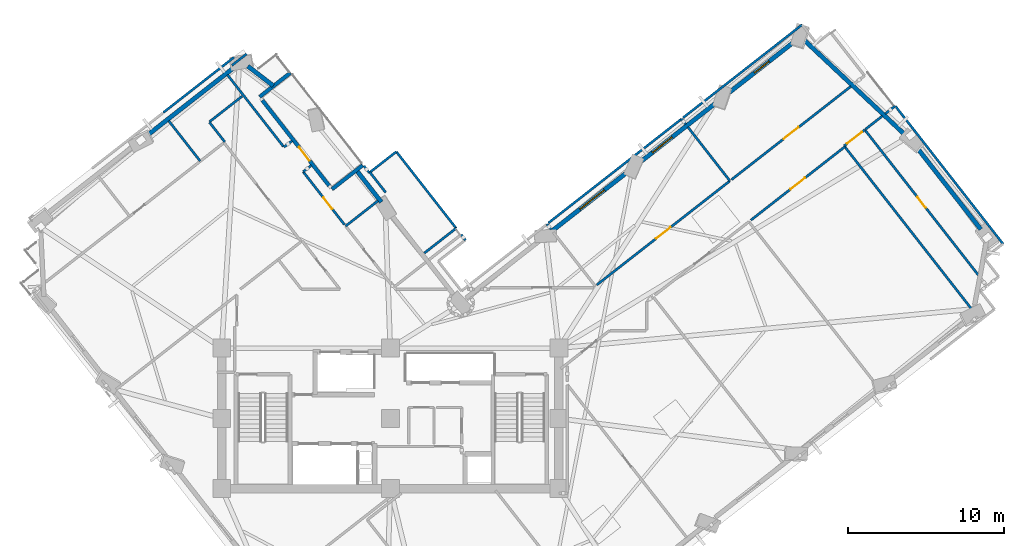
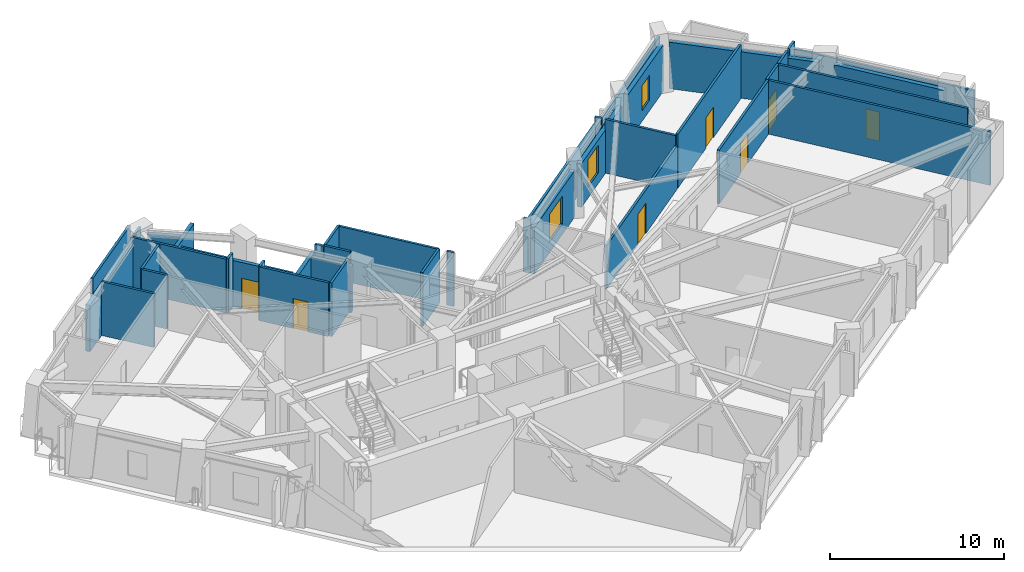
# One storey, part 8 of 14: 41 walls, 7 doors, 3 windows, 10 openings.
"""IFC4 building model written with IfcOpenShell, lengths in metres."""

from ifc_helpers import new_model, si_unit, direction, frame, frame_2d, origin, place, context, subcontext, project, spatial, rectangle, extrude, material, layer, layer_set, type_object, element, fill, save


model = new_model("IFC4")

# Units and contexts
model_context = context("Model", 3, precision=1e-05, world=origin(), true_north=direction((0.0, 1.0)))
body_context = subcontext(model_context, "Body", "Model", "MODEL_VIEW")
ifc_project = project(units=[si_unit("LENGTHUNIT", "METRE"), si_unit("AREAUNIT", "SQUARE_METRE"), si_unit("VOLUMEUNIT", "CUBIC_METRE"), si_unit("PLANEANGLEUNIT", "RADIAN"), si_unit("MASSUNIT", "GRAM", prefix="KILO")], contexts=[model_context])

# Site, building, storey
site_placement = place(None, origin())
site = spatial("IfcSite", under=ifc_project, at=site_placement, CompositionType="ELEMENT")
building_placement = place(site_placement, origin())
building = spatial("IfcBuilding", under=site, at=building_placement, Name="Gaonmaruhae Medical Tower", CompositionType="ELEMENT")
storey_placement = place(building_placement, frame((0.0, 0.0, 185.800048828125)))
storey = spatial("IfcBuildingStorey", under=building, at=storey_placement, Name="L44", CompositionType="ELEMENT", Elevation=185.800048828125)

# Wall, opening, door
ifc_material_1 = material(Name="Precast concrete C45/55", Category="concrete")
ifc_layer_1 = layer(ifc_material_1, 0.239990234375)
ifc_layer_set_1 = layer_set([ifc_layer_1], Name="Precast concrete C45/55")
wall_type_1 = type_object("IfcWallType", Name="EW-240 Ribbon & Shelter Insulated Precast Wall", PredefinedType="SOLIDWALL", material=ifc_layer_set_1)
wall_1_placement = place(storey_placement, frame((16.601318359375, 32.686279296875, 0.0), z_axis=(0.0, 0.0, 1.0), x_axis=(0.615648806913, -0.788020651091, 0.0)))
wall_1 = element("IfcWall", 1, at=wall_1_placement, inside=storey, type_object=wall_type_1, Name="L44 Recessed Terrace Enclosure Wall TERB", PredefinedType="SOLIDWALL", context=body_context, shape_type="SweptSolid", body=[
    extrude(rectangle(XDim=6.9599609375, YDim=0.239990234375, at=frame_2d((3.47998046875, 0.0))), origin(), (0.0, 0.0, 1.0), 3.264892578125),
])
opening_1_placement = place(wall_1_placement, frame((3.819580078125, 0.0, 0.0)))
opening_1 = element("IfcOpeningElement", 2, at=opening_1_placement, cuts=wall_1, Name="Opening TD-01", PredefinedType="OPENING", context=body_context, shape_type="SweptSolid", body=[
    extrude(rectangle(XDim=1.10009765625, YDim=2.14990234375, at=frame_2d((0.550048828125, 1.074951171875))), frame((0.0, 0.1298828125, 0.0), z_axis=(0.0, -1.0, 0.0), x_axis=(1.0, 0.0, 0.0)), (0.0, 0.0, 1.0), 0.260009765625),
])
ifc_material_2 = material(Name="Anodised aluminium and toughened safety glass", Category="aluminium")
door_type_1 = type_object("IfcDoorType", Name="TD-01 Terrace & Sky Garden Glazed Door 1100x2150", OperationType="NOTDEFINED", PredefinedType="DOOR", material=ifc_material_2)
door_1_placement = place(opening_1_placement, origin())
door_1 = element("IfcDoor", 3, at=door_1_placement, inside=storey, type_object=door_type_1, Name="L44 Outdoor Terrace Access Door SLB-L44-TER", OperationType="SINGLE_SWING_RIGHT", OverallHeight=2.14990234375, OverallWidth=1.10009765625, PredefinedType="DOOR", context=body_context, shape_type="SweptSolid", body=[
    extrude(rectangle(XDim=1.10009765625, YDim=2.14990234375, at=frame_2d((0.550048828125, 1.074951171875))), frame((0.0, 0.02490234375, 0.0), z_axis=(0.0, -1.0, 0.0), x_axis=(1.0, 0.0, 0.0)), (0.0, 0.0, 1.0), 0.050048828125),
])
fill(opening_1, door_1)

# Walls
for number, where, z_axis, x_axis, name in (
    (4, (21.05859375, 26.981201171875, 0.0), (0.0, 0.0, 1.0), (0.788019931913, 0.615649727448, 0.0), "L44 Recessed Terrace Enclosure Wall TERL"),
    (5, (18.398681640625, 34.446044921875, 0.0), (0.0, 0.0, 1.0), (-0.788019931913, -0.615649727448, 0.0), "L44 Recessed Terrace Enclosure Wall TERR"),
):
    element("IfcWall", number, at=place(storey_placement, frame(where, z_axis=z_axis, x_axis=x_axis)), inside=storey, type_object=wall_type_1, Name=name, PredefinedType="SOLIDWALL", context=body_context, shape_type="SweptSolid", body=[
        extrude(rectangle(XDim=2.5, YDim=0.239990234375, at=frame_2d((1.25, 0.0))), origin(), (0.0, 0.0, 1.0), 3.264892578125),
    ])
ifc_layer_2 = layer(ifc_material_1, 0.280029296875)
ifc_layer_set_2 = layer_set([ifc_layer_2], Name="Precast concrete C45/55")
wall_type_2 = type_object("IfcWallType", Name="EW-280 Upper Precast Masonry-Frame Facade Wall", PredefinedType="SOLIDWALL", material=ifc_layer_set_2)
wall_2_placement = place(storey_placement, frame((58.435791015625, 29.80126953125, 0.0), z_axis=(0.0, 0.0, 1.0), x_axis=(0.615673825637, -0.78800110433, 0.0)))
element("IfcWall", 6, at=wall_2_placement, inside=storey, type_object=wall_type_2, Name="L44 Precast Masonry-Frame Wall E01-E02", PredefinedType="SOLIDWALL", context=body_context, shape_type="SweptSolid", body=[
    extrude(rectangle(XDim=6.83984375, YDim=0.280029296875, at=frame_2d((3.419921875, 0.0))), origin(), (0.0, 0.0, 1.0), 3.264892578125),
])
wall_3_placement = place(storey_placement, frame((51.3330078125, 36.536376953125, 0.0), z_axis=(0.0, 0.0, 1.0), x_axis=(0.728847654356, -0.684675906353, 0.0)))
element("IfcWall", 7, at=wall_3_placement, inside=storey, type_object=wall_type_2, Name="L44 Precast Masonry-Frame Wall E02-E03", PredefinedType="SOLIDWALL", context=body_context, shape_type="SweptSolid", body=[
    extrude(rectangle(XDim=8.837890625, YDim=0.280029296875, at=frame_2d((4.4189453125, 0.0))), origin(), (0.0, 0.0, 1.0), 3.264892578125),
])

# Wall, opening, window
wall_4_placement = place(storey_placement, frame((46.480712890625, 33.150146484375, 0.0), z_axis=(0.0, 0.0, 1.0), x_axis=(0.788005197238, 0.615668587087, 0.0)))
wall_4 = element("IfcWall", 8, at=wall_4_placement, inside=storey, type_object=wall_type_2, Name="L44 Precast Masonry-Frame Wall E03-EN01", PredefinedType="SOLIDWALL", context=body_context, shape_type="SweptSolid", body=[
    extrude(rectangle(XDim=5.404541015625, YDim=0.280029296875, at=frame_2d((2.7021484375, 0.0))), origin(), (0.0, 0.0, 1.0), 3.264892578125),
])
opening_2_placement = place(wall_4_placement, frame((2.09814453125, 0.0, 0.75)))
opening_2 = element("IfcOpeningElement", 9, at=opening_2_placement, cuts=wall_4, Name="Opening WN-05", PredefinedType="OPENING", context=body_context, shape_type="SweptSolid", body=[
    extrude(rectangle(XDim=1.199951171875, YDim=1.75, at=frame_2d((0.60009765625, 0.875))), frame((0.0, 0.14990234375, 0.0), z_axis=(0.0, -1.0, 0.0), x_axis=(1.0, 0.0, 0.0)), (0.0, 0.0, 1.0), 0.300048828125),
])
ifc_material_3 = material(Name="Anodised aluminium and Low-E double glazing", Category="aluminium")
window_type_1 = type_object("IfcWindowType", Name="WN-05 Support & Staff Punched Window 1200x1750", PartitioningType="SINGLE_PANEL", PredefinedType="WINDOW", material=ifc_material_3)
window_1_placement = place(opening_2_placement, origin())
window_1 = element("IfcWindow", 10, at=window_1_placement, inside=storey, type_object=window_type_1, Name="L44 Modular Facade Window E03", OverallHeight=1.75, OverallWidth=1.199951171875, PartitioningType="SINGLE_PANEL", PredefinedType="WINDOW", context=body_context, shape_type="SweptSolid", body=[
    extrude(rectangle(XDim=1.199951171875, YDim=1.75, at=frame_2d((0.60009765625, 0.875))), frame((0.0, 0.030029296875, 0.0), z_axis=(0.0, -1.0, 0.0), x_axis=(1.0, 0.0, 0.0)), (0.0, 0.0, 1.0), 0.06005859375),
])
fill(opening_2, window_1)

wall_5_placement = place(storey_placement, frame((40.81640625, 28.724853515625, 0.0), z_axis=(0.0, 0.0, 1.0), x_axis=(0.788020212459, 0.615649368355, 0.0)))
wall_5 = element("IfcWall", 11, at=wall_5_placement, inside=storey, type_object=wall_type_2, Name="L44 Precast Masonry-Frame Wall EN01-EN02", PredefinedType="SOLIDWALL", context=body_context, shape_type="SweptSolid", body=[
    extrude(rectangle(XDim=6.226318359375, YDim=0.280029296875, at=frame_2d((3.11328125, 0.0))), origin(), (0.0, 0.0, 1.0), 3.06494140625),
])
opening_3_placement = place(wall_5_placement, frame((0.990478515625, 0.0, 0.75)))
opening_3 = element("IfcOpeningElement", 12, at=opening_3_placement, cuts=wall_5, Name="Opening WN-01", PredefinedType="OPENING", context=body_context, shape_type="SweptSolid", body=[
    extrude(rectangle(XDim=1.60009765625, YDim=1.949951171875, at=frame_2d((0.800048828125, 0.97509765625))), frame((0.0, 0.14990234375, 0.0), z_axis=(0.0, -1.0, 0.0), x_axis=(1.0, 0.0, 0.0)), (0.0, 0.0, 1.0), 0.300048828125),
])
window_type_2 = type_object("IfcWindowType", Name="WN-01 Ward Punched Acoustic Window 1600x1950", PartitioningType="SINGLE_PANEL", PredefinedType="WINDOW", material=ifc_material_3)
window_2_placement = place(opening_3_placement, origin())
window_2 = element("IfcWindow", 13, at=window_2_placement, inside=storey, type_object=window_type_2, Name="L44 Modular Facade Window EN01", OverallHeight=1.949951171875, OverallWidth=1.60009765625, PartitioningType="SINGLE_PANEL", PredefinedType="WINDOW", context=body_context, shape_type="SweptSolid", body=[
    extrude(rectangle(XDim=1.60009765625, YDim=1.949951171875, at=frame_2d((0.800048828125, 0.97509765625))), frame((0.0, 0.030029296875, 0.0), z_axis=(0.0, -1.0, 0.0), x_axis=(1.0, 0.0, 0.0)), (0.0, 0.0, 1.0), 0.06005859375),
])
fill(opening_3, window_2)

wall_6_placement = place(storey_placement, frame((35.146240234375, 24.294921875, 0.0), z_axis=(0.0, 0.0, 1.0), x_axis=(0.787999939923, 0.615675315959, 0.0)))
wall_6 = element("IfcWall", 14, at=wall_6_placement, inside=storey, type_object=wall_type_2, Name="L44 Precast Masonry-Frame Wall EN02-EN03", PredefinedType="SOLIDWALL", context=body_context, shape_type="SweptSolid", body=[
    extrude(rectangle(XDim=6.2109375, YDim=0.280029296875, at=frame_2d((3.10546875, 0.0))), origin(), (0.0, 0.0, 1.0), 3.264892578125),
])
opening_4_placement = place(wall_6_placement, frame((2.287841796875, 0.0, 0.75)))
opening_4 = element("IfcOpeningElement", 15, at=opening_4_placement, cuts=wall_6, Name="Opening WN-02", PredefinedType="OPENING", context=body_context, shape_type="SweptSolid", body=[
    extrude(rectangle(XDim=2.0, YDim=1.949951171875, at=frame_2d((1.0, 0.97509765625))), frame((0.0, 0.14990234375, 0.0), z_axis=(0.0, -1.0, 0.0), x_axis=(1.0, 0.0, 0.0)), (0.0, 0.0, 1.0), 0.300048828125),
])
window_type_3 = type_object("IfcWindowType", Name="WN-02 Double-Bed Ward Punched Window 2000x1950", PartitioningType="SINGLE_PANEL", PredefinedType="WINDOW", material=ifc_material_3)
window_3_placement = place(opening_4_placement, origin())
window_3 = element("IfcWindow", 16, at=window_3_placement, inside=storey, type_object=window_type_3, Name="L44 Modular Facade Window EN02", OverallHeight=1.949951171875, OverallWidth=2.0, PartitioningType="SINGLE_PANEL", PredefinedType="WINDOW", context=body_context, shape_type="SweptSolid", body=[
    extrude(rectangle(XDim=2.0, YDim=1.949951171875, at=frame_2d((1.0, 0.97509765625))), frame((0.0, 0.030029296875, 0.0), z_axis=(0.0, -1.0, 0.0), x_axis=(1.0, 0.0, 0.0)), (0.0, 0.0, 1.0), 0.06005859375),
])
fill(opening_4, window_3)

# Walls
wall_7_placement = place(storey_placement, frame((24.228271484375, 26.156494140625, 0.0), z_axis=(0.0, 0.0, 1.0), x_axis=(-0.615726632645, 0.787959842791, 0.0)))
element("IfcWall", 17, at=wall_7_placement, inside=storey, type_object=wall_type_2, Name="L44 Precast Masonry-Frame Wall NE01-NE02", PredefinedType="SOLIDWALL", context=body_context, shape_type="SweptSolid", body=[
    extrude(rectangle(XDim=2.581298828125, YDim=0.280029296875, at=frame_2d((1.29052734375, 0.0))), origin(), (0.0, 0.0, 1.0), 3.244873046875),
])
wall_8_placement = place(storey_placement, frame((15.6708984375, 34.870849609375, 0.0), z_axis=(0.0, 0.0, 1.0), x_axis=(0.792134413679, -0.610346680719, 0.0)))
element("IfcWall", 18, at=wall_8_placement, inside=storey, type_object=wall_type_2, Name="L44 Precast Masonry-Frame Wall NE02-N01", PredefinedType="SOLIDWALL", context=body_context, shape_type="SweptSolid", body=[
    extrude(rectangle(XDim=2.058837890625, YDim=0.280029296875, at=frame_2d((1.029296875, 0.0))), origin(), (0.0, 0.0, 1.0), 3.244873046875),
])
wall_9_placement = place(storey_placement, frame((9.070068359375, 30.3173828125, 0.0), z_axis=(0.0, 0.0, 1.0), x_axis=(0.787988540175, 0.615689906165, 0.0)))
element("IfcWall", 19, at=wall_9_placement, inside=storey, type_object=wall_type_2, Name="L44 Precast Masonry-Frame Wall N01-N02", PredefinedType="SOLIDWALL", context=body_context, shape_type="SweptSolid", body=[
    extrude(rectangle(XDim=7.230712890625, YDim=0.280029296875, at=frame_2d((3.615234375, 0.0))), origin(), (0.0, 0.0, 1.0), 3.264892578125),
])

# Wall, opening, door
ifc_material_4 = material(Name="Gypsum board partition", Category="gypsum")
ifc_layer_3 = layer(ifc_material_4, 0.14990234375)
ifc_layer_set_3 = layer_set([ifc_layer_3], Name="Gypsum board partition")
wall_type_3 = type_object("IfcWallType", Name="PW-150 Rated Clinical Corridor Partition", PredefinedType="PARTITIONING", material=ifc_layer_set_3)
wall_10_placement = place(storey_placement, frame((47.908935546875, 25.001953125, 0.0), z_axis=(0.0, 0.0, 1.0), x_axis=(0.787963326544, 0.615722174379, 0.0)))
wall_10 = element("IfcWall", 20, at=wall_10_placement, inside=storey, type_object=wall_type_3, Name="L44 Interior Partition L44-SUP06-26", PredefinedType="PARTITIONING", context=body_context, shape_type="SweptSolid", body=[
    extrude(rectangle(XDim=7.639892578125, YDim=0.14990234375, at=frame_2d((3.81982421875, 0.0))), origin(), (0.0, 0.0, 1.0), 3.780029296875),
])
opening_5_placement = place(wall_10_placement, frame((3.219970703125, 0.0, 0.0)))
opening_5 = element("IfcOpeningElement", 21, at=opening_5_placement, cuts=wall_10, Name="Opening CD-02", PredefinedType="OPENING", context=body_context, shape_type="SweptSolid", body=[
    extrude(rectangle(XDim=1.199951171875, YDim=2.14990234375, at=frame_2d((0.60009765625, 1.074951171875))), frame((0.0, 0.0849609375, 0.0), z_axis=(0.0, -1.0, 0.0), x_axis=(1.0, 0.0, 0.0)), (0.0, 0.0, 1.0), 0.169921875),
])
ifc_material_5 = material(Name="Antimicrobial laminate timber fire door", Category="wood")
door_type_2 = type_object("IfcDoorType", Name="CD-02 Clinical Treatment & Procedure Door 1200x2150", OperationType="NOTDEFINED", PredefinedType="DOOR", material=ifc_material_5)
door_2_placement = place(opening_5_placement, origin())
door_2 = element("IfcDoor", 22, at=door_2_placement, inside=storey, type_object=door_type_2, Name="L44 Clinical Biomedical Charting Office Door", OperationType="SINGLE_SWING_LEFT", OverallHeight=2.14990234375, OverallWidth=1.199951171875, PredefinedType="DOOR", context=body_context, shape_type="SweptSolid", body=[
    extrude(rectangle(XDim=1.199951171875, YDim=2.14990234375, at=frame_2d((0.60009765625, 1.074951171875))), frame((0.0, 0.02490234375, 0.0), z_axis=(0.0, -1.0, 0.0), x_axis=(1.0, 0.0, 0.0)), (0.0, 0.0, 1.0), 0.050048828125),
])
fill(opening_5, door_2)

# Walls
wall_11_placement = place(storey_placement, frame((53.928955078125, 29.7060546875, 0.0), z_axis=(0.0, 0.0, 1.0), x_axis=(0.61569405519, -0.787985298342, 0.0)))
element("IfcWall", 23, at=wall_11_placement, inside=storey, type_object=wall_type_3, Name="L44 Interior Partition L44-SUP06-27", PredefinedType="PARTITIONING", context=body_context, shape_type="SweptSolid", body=[
    extrude(rectangle(XDim=13.830078125, YDim=0.14990234375, at=frame_2d((6.9150390625, 0.0))), origin(), (0.0, 0.0, 1.0), 3.780029296875),
])
wall_12_placement = place(storey_placement, frame((34.8359375, 24.7509765625, 0.0), z_axis=(0.0, 0.0, 1.0), x_axis=(0.615763745793, -0.787930840472, 0.0)))
element("IfcWall", 24, at=wall_12_placement, inside=storey, type_object=wall_type_3, Name="L44 Interior Partition L44-IE01-47", PredefinedType="PARTITIONING", context=body_context, shape_type="SweptSolid", body=[
    extrude(rectangle(XDim=0.435302734375, YDim=0.14990234375, at=frame_2d((0.2177734375, 0.0))), origin(), (0.0, 0.0, 1.0), 3.780029296875),
])
wall_13_placement = place(storey_placement, frame((29.343017578125, 24.075927734375, 0.0), z_axis=(0.0, 0.0, 1.0), x_axis=(0.616673159564, -0.787219292366, 0.0)))
element("IfcWall", 25, at=wall_13_placement, inside=storey, type_object=wall_type_3, Name="L44 Interior Partition L44-IE01-61", PredefinedType="PARTITIONING", context=body_context, shape_type="SweptSolid", body=[
    extrude(rectangle(XDim=0.450927734375, YDim=0.14990234375, at=frame_2d((0.2255859375, 0.0))), origin(), (0.0, 0.0, 1.0), 3.780029296875),
])

# Wall, opening, door
wall_14_placement = place(storey_placement, frame((46.56591796875, 27.51904296875, 0.0), z_axis=(0.0, 0.0, 1.0), x_axis=(-0.788006255186, -0.615667232998, 0.0)))
wall_14 = element("IfcWall", 26, at=wall_14_placement, inside=storey, type_object=wall_type_3, Name="L44 Interior Partition L44-IE02-63", PredefinedType="PARTITIONING", context=body_context, shape_type="SweptSolid", body=[
    extrude(rectangle(XDim=10.827392578125, YDim=0.14990234375, at=frame_2d((5.41357421875, 0.0))), origin(), (0.0, 0.0, 1.0), 3.06494140625),
])
opening_6_placement = place(wall_14_placement, frame((4.813720703125, 0.0, 0.0)))
opening_6 = element("IfcOpeningElement", 27, at=opening_6_placement, cuts=wall_14, Name="Opening CD-02", PredefinedType="OPENING", context=body_context, shape_type="SweptSolid", body=[
    extrude(rectangle(XDim=1.199951171875, YDim=2.14990234375, at=frame_2d((0.60009765625, 1.074951171875))), frame((0.0, 0.0849609375, 0.0), z_axis=(0.0, -1.0, 0.0), x_axis=(1.0, 0.0, 0.0)), (0.0, 0.0, 1.0), 0.169921875),
])
door_3_placement = place(opening_6_placement, origin())
door_3 = element("IfcDoor", 28, at=door_3_placement, inside=storey, type_object=door_type_2, Name="L44 Acute Treatment Examination Room Door", OperationType="SINGLE_SWING_RIGHT", OverallHeight=2.14990234375, OverallWidth=1.199951171875, PredefinedType="DOOR", context=body_context, shape_type="SweptSolid", body=[
    extrude(rectangle(XDim=1.199951171875, YDim=2.14990234375, at=frame_2d((0.60009765625, 1.074951171875))), frame((0.0, 0.02490234375, 0.0), z_axis=(0.0, -1.0, 0.0), x_axis=(1.0, 0.0, 0.0)), (0.0, 0.0, 1.0), 0.050048828125),
])
fill(opening_6, door_3)

# Walls
wall_15_placement = place(storey_placement, frame((34.930908203125, 24.824951171875, 0.0), z_axis=(0.0, 0.0, 1.0), x_axis=(0.788048984309, 0.615612539127, 0.0)))
element("IfcWall", 29, at=wall_15_placement, inside=storey, type_object=wall_type_3, Name="L44 Interior Partition L44-IE02-64", PredefinedType="PARTITIONING", context=body_context, shape_type="SweptSolid", body=[
    extrude(rectangle(XDim=10.828369140625, YDim=0.14990234375, at=frame_2d((5.4140625, 0.0))), origin(), (0.0, 0.0, 1.0), 3.264892578125),
])
wall_16_placement = place(storey_placement, frame((43.464111328125, 31.490966796875, 0.0), z_axis=(0.0, 0.0, 1.0), x_axis=(0.615415398102, -0.788202948344, 0.0)))
element("IfcWall", 30, at=wall_16_placement, inside=storey, type_object=wall_type_3, Name="L44 Interior Partition L44-IE02-65", PredefinedType="PARTITIONING", context=body_context, shape_type="SweptSolid", body=[
    extrude(rectangle(XDim=0.435302734375, YDim=0.14990234375, at=frame_2d((0.2177734375, 0.0))), origin(), (0.0, 0.0, 1.0), 3.780029296875),
])
wall_17_placement = place(storey_placement, frame((43.873046875, 30.967041015625, 0.0), z_axis=(0.0, 0.0, 1.0), x_axis=(0.615519498699, -0.78812165731, 0.0)))
element("IfcWall", 31, at=wall_17_placement, inside=storey, type_object=wall_type_3, Name="L44 Interior Partition L44-IE02-66", PredefinedType="PARTITIONING", context=body_context, shape_type="SweptSolid", body=[
    extrude(rectangle(XDim=4.375, YDim=0.14990234375, at=frame_2d((2.1875, 0.0))), origin(), (0.0, 0.0, 1.0), 3.780029296875),
])

# Wall, opening, door
wall_18_placement = place(storey_placement, frame((54.31689453125, 33.574951171875, 0.0), z_axis=(0.0, 0.0, 1.0), x_axis=(-0.787990467188, -0.615687439875, 0.0)))
wall_18 = element("IfcWall", 32, at=wall_18_placement, inside=storey, type_object=wall_type_3, Name="L44 Interior Partition L44-IE03-70", PredefinedType="PARTITIONING", context=body_context, shape_type="SweptSolid", body=[
    extrude(rectangle(XDim=9.7158203125, YDim=0.14990234375, at=frame_2d((4.85791015625, 0.0))), origin(), (0.0, 0.0, 1.0), 3.780029296875),
])
opening_7_placement = place(wall_18_placement, frame((4.2578125, 0.0, 0.0)))
opening_7 = element("IfcOpeningElement", 33, at=opening_7_placement, cuts=wall_18, Name="Opening CD-02", PredefinedType="OPENING", context=body_context, shape_type="SweptSolid", body=[
    extrude(rectangle(XDim=1.199951171875, YDim=2.14990234375, at=frame_2d((0.60009765625, 1.074951171875))), frame((0.0, 0.0849609375, 0.0), z_axis=(0.0, -1.0, 0.0), x_axis=(1.0, 0.0, 0.0)), (0.0, 0.0, 1.0), 0.169921875),
])
door_4_placement = place(opening_7_placement, origin())
door_4 = element("IfcDoor", 34, at=door_4_placement, inside=storey, type_object=door_type_2, Name="L44 Clean Medication Preparation Room Door", OperationType="SINGLE_SWING_RIGHT", OverallHeight=2.14990234375, OverallWidth=1.199951171875, PredefinedType="DOOR", context=body_context, shape_type="SweptSolid", body=[
    extrude(rectangle(XDim=1.199951171875, YDim=2.14990234375, at=frame_2d((0.60009765625, 1.074951171875))), frame((0.0, 0.02490234375, 0.0), z_axis=(0.0, -1.0, 0.0), x_axis=(1.0, 0.0, 0.0)), (0.0, 0.0, 1.0), 0.050048828125),
])
fill(opening_7, door_4)

# Walls
wall_19_placement = place(storey_placement, frame((43.55810546875, 31.56494140625, 0.0), z_axis=(0.0, 0.0, 1.0), x_axis=(0.788013675398, 0.615657735586, 0.0)))
element("IfcWall", 35, at=wall_19_placement, inside=storey, type_object=wall_type_3, Name="L44 Interior Partition L44-IE03-71", PredefinedType="PARTITIONING", context=body_context, shape_type="SweptSolid", body=[
    extrude(rectangle(XDim=9.6875, YDim=0.14990234375, at=frame_2d((4.84375, 0.0))), origin(), (0.0, 0.0, 1.0), 3.06494140625),
])
wall_20_placement = place(storey_placement, frame((21.93701171875, 24.6220703125, 0.0), z_axis=(0.0, 0.0, 1.0), x_axis=(0.788163411112, 0.615466032681, 0.0)))
element("IfcWall", 36, at=wall_20_placement, inside=storey, type_object=wall_type_3, Name="L44 Interior Partition L44-IN01-73", PredefinedType="PARTITIONING", context=body_context, shape_type="SweptSolid", body=[
    extrude(rectangle(XDim=2.635009765625, YDim=0.14990234375, at=frame_2d((1.3173828125, 0.0))), origin(), (0.0, 0.0, 1.0), 3.780029296875),
])
wall_21_placement = place(storey_placement, frame((23.493896484375, 28.071044921875, 0.0), z_axis=(0.0, 0.0, 1.0), x_axis=(0.615516872189, -0.788123708596, 0.0)))
element("IfcWall", 37, at=wall_21_placement, inside=storey, type_object=wall_type_3, Name="L44 Interior Partition L44-IN02-77", PredefinedType="PARTITIONING", context=body_context, shape_type="SweptSolid", body=[
    extrude(rectangle(XDim=1.639404296875, YDim=0.14990234375, at=frame_2d((0.81982421875, 0.0))), origin(), (0.0, 0.0, 1.0), 3.780029296875),
])

# Wall, opening, door
wall_22_placement = place(storey_placement, frame((21.863037109375, 24.717041015625, 0.0), z_axis=(0.0, 0.0, 1.0), x_axis=(-0.615664978925, 0.788008016283, 0.0)))
wall_22 = element("IfcWall", 38, at=wall_22_placement, inside=storey, type_object=wall_type_3, Name="L44 Interior Partition L44-IN02-78", PredefinedType="PARTITIONING", context=body_context, shape_type="SweptSolid", body=[
    extrude(rectangle(XDim=4.29931640625, YDim=0.14990234375, at=frame_2d((2.149658203125, 0.0))), origin(), (0.0, 0.0, 1.0), 3.780029296875),
])
opening_8_placement = place(wall_22_placement, frame((1.266845703125, 0.0, 0.0)))
opening_8 = element("IfcOpeningElement", 39, at=opening_8_placement, cuts=wall_22, Name="Opening UD-01", PredefinedType="OPENING", context=body_context, shape_type="SweptSolid", body=[
    extrude(rectangle(XDim=0.919921875, YDim=2.10009765625, at=frame_2d((0.4599609375, 1.050048828125))), frame((0.0, 0.0849609375, 0.0), z_axis=(0.0, -1.0, 0.0), x_axis=(1.0, 0.0, 0.0)), (0.0, 0.0, 1.0), 0.169921875),
])
ifc_material_6 = material(Name="Powder-coated steel utility door", Category="steel")
door_type_3 = type_object("IfcDoorType", Name="UD-01 Toilet, Utility & Housekeeping Door 920x2100", OperationType="NOTDEFINED", PredefinedType="DOOR", material=ifc_material_6)
door_5_placement = place(opening_8_placement, origin())
door_5 = element("IfcDoor", 40, at=door_5_placement, inside=storey, type_object=door_type_3, Name="L44 Ward Nutrition Pantry Door", OperationType="SINGLE_SWING_LEFT", OverallHeight=2.10009765625, OverallWidth=0.919921875, PredefinedType="DOOR", context=body_context, shape_type="SweptSolid", body=[
    extrude(rectangle(XDim=0.919921875, YDim=2.10009765625, at=frame_2d((0.4599609375, 1.050048828125))), frame((0.0, 0.02490234375, 0.0), z_axis=(0.0, -1.0, 0.0), x_axis=(1.0, 0.0, 0.0)), (0.0, 0.0, 1.0), 0.050048828125),
])
fill(opening_8, door_5)

# Walls
wall_23_placement = place(storey_placement, frame((19.216064453125, 28.10498046875, 0.0), z_axis=(0.0, 0.0, 1.0), x_axis=(0.78830274662, 0.615287558522, 0.0)))
element("IfcWall", 41, at=wall_23_placement, inside=storey, type_object=wall_type_3, Name="L44 Interior Partition L44-IN02-79", PredefinedType="PARTITIONING", context=body_context, shape_type="SweptSolid", body=[
    extrude(rectangle(XDim=0.66455078125, YDim=0.14990234375, at=frame_2d((0.332275390625, 0.0))), origin(), (0.0, 0.0, 1.0), 3.780029296875),
])
wall_24_placement = place(storey_placement, frame((23.113037109375, 28.47705078125, 0.0), z_axis=(0.0, 0.0, 1.0), x_axis=(0.616106085267, -0.78766318417, 0.0)))
element("IfcWall", 42, at=wall_24_placement, inside=storey, type_object=wall_type_3, Name="L44 Interior Partition L44-IN02-80", PredefinedType="PARTITIONING", context=body_context, shape_type="SweptSolid", body=[
    extrude(rectangle(XDim=0.553466796875, YDim=0.14990234375, at=frame_2d((0.27685546875, 0.0))), origin(), (0.0, 0.0, 1.0), 3.780029296875),
])
wall_25_placement = place(storey_placement, frame((18.509033203125, 30.090087890625, 0.0), z_axis=(0.0, 0.0, 1.0), x_axis=(-0.788124583887, -0.615515751442, 0.0)))
element("IfcWall", 43, at=wall_25_placement, inside=storey, type_object=wall_type_3, Name="L44 Interior Partition L44-IN03-82", PredefinedType="PARTITIONING", context=body_context, shape_type="SweptSolid", body=[
    extrude(rectangle(XDim=0.664794921875, YDim=0.14990234375, at=frame_2d((0.33251953125, 0.0))), origin(), (0.0, 0.0, 1.0), 3.780029296875),
])
wall_26_placement = place(storey_placement, frame((17.9541015625, 29.719970703125, 0.0), z_axis=(0.0, 0.0, 1.0), x_axis=(-0.615581419992, 0.78807329314, 0.0)))
element("IfcWall", 44, at=wall_26_placement, inside=storey, type_object=wall_type_3, Name="L44 Interior Partition L44-IN03-83", PredefinedType="PARTITIONING", context=body_context, shape_type="SweptSolid", body=[
    extrude(rectangle(XDim=5.82568359375, YDim=0.14990234375, at=frame_2d((2.912841796875, 0.0))), origin(), (0.0, 0.0, 1.0), 3.780029296875),
])
wall_27_placement = place(storey_placement, frame((14.65087890625, 34.9189453125, 0.0), z_axis=(0.0, 0.0, 1.0), x_axis=(0.787972015739, 0.61571105432, 0.0)))
element("IfcWall", 45, at=wall_27_placement, inside=storey, type_object=wall_type_3, Name="L44 Interior Partition L44-IN03-84", PredefinedType="PARTITIONING", context=body_context, shape_type="SweptSolid", body=[
    extrude(rectangle(XDim=1.201904296875, YDim=0.14990234375, at=frame_2d((0.60107421875, 0.0))), origin(), (0.0, 0.0, 1.0), 3.264892578125),
])
wall_28_placement = place(storey_placement, frame((10.60107421875, 31.367919921875, 0.0), z_axis=(0.0, 0.0, 1.0), x_axis=(0.615616471705, -0.788045912219, 0.0)))
element("IfcWall", 46, at=wall_28_placement, inside=storey, type_object=wall_type_3, Name="L44 Interior Partition L44-RM02-89", PredefinedType="PARTITIONING", context=body_context, shape_type="SweptSolid", body=[
    extrude(rectangle(XDim=3.26513671875, YDim=0.14990234375, at=frame_2d((1.632568359375, 0.0))), origin(), (0.0, 0.0, 1.0), 3.780029296875),
])
wall_29_placement = place(storey_placement, frame((15.30810546875, 32.945068359375, 0.0), z_axis=(0.0, 0.0, 1.0), x_axis=(-0.787613503668, -0.616169594219, 0.0)))
element("IfcWall", 47, at=wall_29_placement, inside=storey, type_object=wall_type_3, Name="L44 Interior Partition L44-RM03-90", PredefinedType="PARTITIONING", context=body_context, shape_type="SweptSolid", body=[
    extrude(rectangle(XDim=2.65869140625, YDim=0.14990234375, at=frame_2d((1.329345703125, 0.0))), origin(), (0.0, 0.0, 1.0), 3.780029296875),
])
wall_30_placement = place(storey_placement, frame((13.214111328125, 31.27099609375, 0.0), z_axis=(0.0, 0.0, 1.0), x_axis=(0.615534477154, -0.788109958974, 0.0)))
element("IfcWall", 48, at=wall_30_placement, inside=storey, type_object=wall_type_3, Name="L44 Interior Partition L44-RM03-91", PredefinedType="PARTITIONING", context=body_context, shape_type="SweptSolid", body=[
    extrude(rectangle(XDim=1.60009765625, YDim=0.14990234375, at=frame_2d((0.800048828125, 0.0))), origin(), (0.0, 0.0, 1.0), 3.780029296875),
])
wall_31_placement = place(storey_placement, frame((10.257080078125, 31.905029296875, 0.0), z_axis=(0.0, 0.0, 1.0), x_axis=(0.788056610886, 0.615602776178, 0.0)))
element("IfcWall", 49, at=wall_31_placement, inside=storey, type_object=wall_type_3, Name="L44 Interior Partition L44-RM03-95", PredefinedType="PARTITIONING", context=body_context, shape_type="SweptSolid", body=[
    extrude(rectangle(XDim=5.74072265625, YDim=0.14990234375, at=frame_2d((2.870361328125, 0.0))), origin(), (0.0, 0.0, 1.0), 3.780029296875),
])
wall_32_placement = place(storey_placement, frame((23.509033203125, 28.083984375, 0.0), z_axis=(0.0, 0.0, 1.0), x_axis=(0.788172044174, 0.615454977056, 0.0)))
element("IfcWall", 50, at=wall_32_placement, inside=storey, type_object=wall_type_3, Name="L44 Interior Partition L44-RM04-96", PredefinedType="PARTITIONING", context=body_context, shape_type="SweptSolid", body=[
    extrude(rectangle(XDim=2.130126953125, YDim=0.14990234375, at=frame_2d((1.06494140625, 0.0))), origin(), (0.0, 0.0, 1.0), 3.780029296875),
])
wall_33_placement = place(storey_placement, frame((25.18798828125, 29.39501953125, 0.0), z_axis=(0.0, 0.0, 1.0), x_axis=(0.615629591414, -0.78803566301, 0.0)))
element("IfcWall", 51, at=wall_33_placement, inside=storey, type_object=wall_type_3, Name="L44 Interior Partition L44-RM04-97", PredefinedType="PARTITIONING", context=body_context, shape_type="SweptSolid", body=[
    extrude(rectangle(XDim=6.229248046875, YDim=0.14990234375, at=frame_2d((3.11474609375, 0.0))), origin(), (0.0, 0.0, 1.0), 3.780029296875),
])
wall_34_placement = place(storey_placement, frame((29.02294921875, 24.486083984375, 0.0), z_axis=(0.0, 0.0, 1.0), x_axis=(-0.787801343925, -0.615929413578, 0.0)))
element("IfcWall", 52, at=wall_34_placement, inside=storey, type_object=wall_type_3, Name="L44 Interior Partition L44-RM04-98", PredefinedType="PARTITIONING", context=body_context, shape_type="SweptSolid", body=[
    extrude(rectangle(XDim=2.589599609375, YDim=0.14990234375, at=frame_2d((1.294921875, 0.0))), origin(), (0.0, 0.0, 1.0), 3.780029296875),
])

# Wall, opening, door
wall_35_placement = place(storey_placement, frame((53.885986328125, 29.760986328125, 0.0), z_axis=(0.0, 0.0, 1.0), x_axis=(0.788145543456, 0.615488913247, 0.0)))
wall_35 = element("IfcWall", 53, at=wall_35_placement, inside=storey, type_object=wall_type_3, Name="L44 Interior Partition L44-RM05-102", PredefinedType="PARTITIONING", context=body_context, shape_type="SweptSolid", body=[
    extrude(rectangle(XDim=1.679931640625, YDim=0.14990234375, at=frame_2d((0.83984375, 0.0))), origin(), (0.0, 0.0, 1.0), 3.780029296875),
])
opening_9_placement = place(wall_35_placement, frame((0.239990234375, 0.0, 0.0)))
opening_9 = element("IfcOpeningElement", 54, at=opening_9_placement, cuts=wall_35, Name="Opening CD-02", PredefinedType="OPENING", context=body_context, shape_type="SweptSolid", body=[
    extrude(rectangle(XDim=1.199951171875, YDim=2.14990234375, at=frame_2d((0.60009765625, 1.074951171875))), frame((0.0, 0.0849609375, 0.0), z_axis=(0.0, -1.0, 0.0), x_axis=(1.0, 0.0, 0.0)), (0.0, 0.0, 1.0), 0.169921875),
])
door_6_placement = place(opening_9_placement, origin())
door_6 = element("IfcDoor", 55, at=door_6_placement, inside=storey, type_object=door_type_2, Name="L44 Clinical Case Review Office Door", OperationType="SINGLE_SWING_LEFT", OverallHeight=2.14990234375, OverallWidth=1.199951171875, PredefinedType="DOOR", context=body_context, shape_type="SweptSolid", body=[
    extrude(rectangle(XDim=1.199951171875, YDim=2.14990234375, at=frame_2d((0.60009765625, 1.074951171875))), frame((0.0, 0.02490234375, 0.0), z_axis=(0.0, -1.0, 0.0), x_axis=(1.0, 0.0, 0.0)), (0.0, 0.0, 1.0), 0.050048828125),
])
fill(opening_9, door_6)

wall_36_placement = place(storey_placement, frame((55.2099609375, 30.794921875, 0.0), z_axis=(0.0, 0.0, 1.0), x_axis=(0.615684921199, -0.787992435122, 0.0)))
wall_36 = element("IfcWall", 56, at=wall_36_placement, inside=storey, type_object=wall_type_3, Name="L44 Interior Partition L44-RM05-103", PredefinedType="PARTITIONING", context=body_context, shape_type="SweptSolid", body=[
    extrude(rectangle(XDim=11.821044921875, YDim=0.14990234375, at=frame_2d((5.91064453125, 0.0))), origin(), (0.0, 0.0, 1.0), 3.780029296875),
])
opening_10_placement = place(wall_36_placement, frame((5.480712890625, 0.0, 0.0)))
opening_10 = element("IfcOpeningElement", 57, at=opening_10_placement, cuts=wall_36, Name="Opening AD-01", PredefinedType="OPENING", context=body_context, shape_type="SweptSolid", body=[
    extrude(rectangle(XDim=0.860107421875, YDim=2.06005859375, at=frame_2d((0.43017578125, 1.030029296875))), frame((0.0, 0.0849609375, 0.0), z_axis=(0.0, -1.0, 0.0), x_axis=(1.0, 0.0, 0.0)), (0.0, 0.0, 1.0), 0.169921875),
])
ifc_material_7 = material(Name="Powder-coated steel access door", Category="steel")
door_type_4 = type_object("IfcDoorType", Name="AD-01 Riser & Closet Access Fire Door 860x2060", OperationType="NOTDEFINED", PredefinedType="DOOR", material=ifc_material_7)
door_7_placement = place(opening_10_placement, origin())
door_7 = element("IfcDoor", 58, at=door_7_placement, inside=storey, type_object=door_type_4, Name="L44 Care Team Clinical Charting Office Sliding Door", OperationType="SLIDING_TO_LEFT", OverallHeight=2.06005859375, OverallWidth=0.860107421875, PredefinedType="DOOR", context=body_context, shape_type="SweptSolid", body=[
    extrude(rectangle(XDim=0.860107421875, YDim=2.06005859375, at=frame_2d((0.43017578125, 1.030029296875))), frame((0.0, 0.02490234375, 0.0), z_axis=(0.0, -1.0, 0.0), x_axis=(1.0, 0.0, 0.0)), (0.0, 0.0, 1.0), 0.050048828125),
])
fill(opening_10, door_7)

# Walls
wall_37_placement = place(storey_placement, frame((55.257080078125, 30.83203125, 0.0), z_axis=(0.0, 0.0, 1.0), x_axis=(0.787816586206, 0.615909917519, 0.0)))
element("IfcWall", 59, at=wall_37_placement, inside=storey, type_object=wall_type_3, Name="L44 Interior Partition L44-RM06-107", PredefinedType="PARTITIONING", context=body_context, shape_type="SweptSolid", body=[
    extrude(rectangle(XDim=1.371826171875, YDim=0.14990234375, at=frame_2d((0.68603515625, 0.0))), origin(), (0.0, 0.0, 1.0), 3.780029296875),
])
wall_38_placement = place(storey_placement, frame((56.52197265625, 31.820068359375, 0.0), z_axis=(0.0, 0.0, 1.0), x_axis=(0.787833593438, 0.615888162779, 0.0)))
element("IfcWall", 60, at=wall_38_placement, inside=storey, type_object=wall_type_3, Name="L44 Interior Partition L44-RM06-108", PredefinedType="PARTITIONING", context=body_context, shape_type="SweptSolid", body=[
    extrude(rectangle(XDim=0.81494140625, YDim=0.14990234375, at=frame_2d((0.407470703125, 0.0))), origin(), (0.0, 0.0, 1.0), 3.780029296875),
])
wall_39_placement = place(storey_placement, frame((57.1640625, 32.322021484375, 0.0), z_axis=(0.0, 0.0, 1.0), x_axis=(0.615692601108, -0.787986434491, 0.0)))
element("IfcWall", 61, at=wall_39_placement, inside=storey, type_object=wall_type_3, Name="L44 Interior Partition L44-RM06-109", PredefinedType="PARTITIONING", context=body_context, shape_type="SweptSolid", body=[
    extrude(rectangle(XDim=11.2197265625, YDim=0.14990234375, at=frame_2d((5.60986328125, 0.0))), origin(), (0.0, 0.0, 1.0), 3.264892578125),
])

save(model, "model.ifc")
